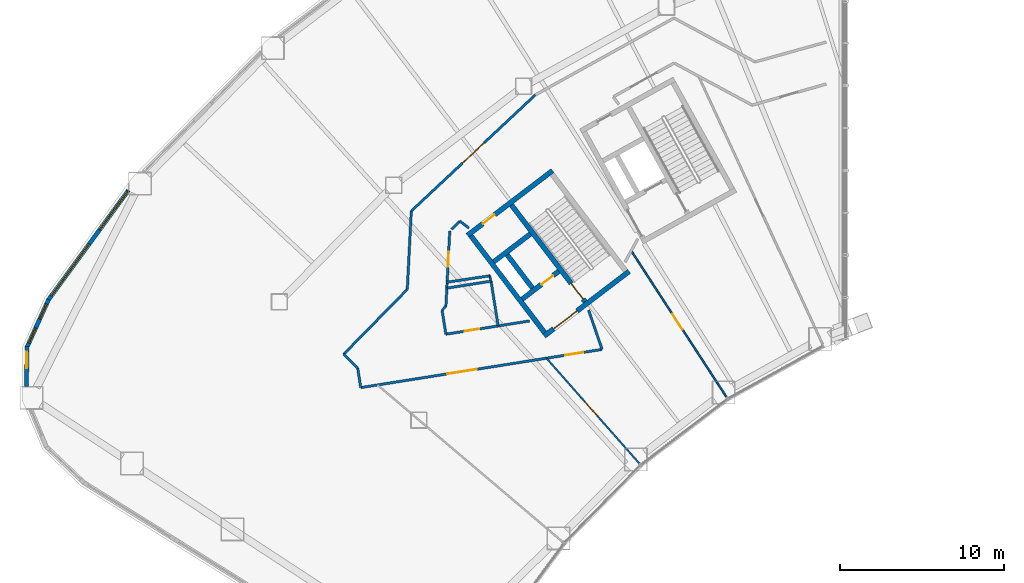
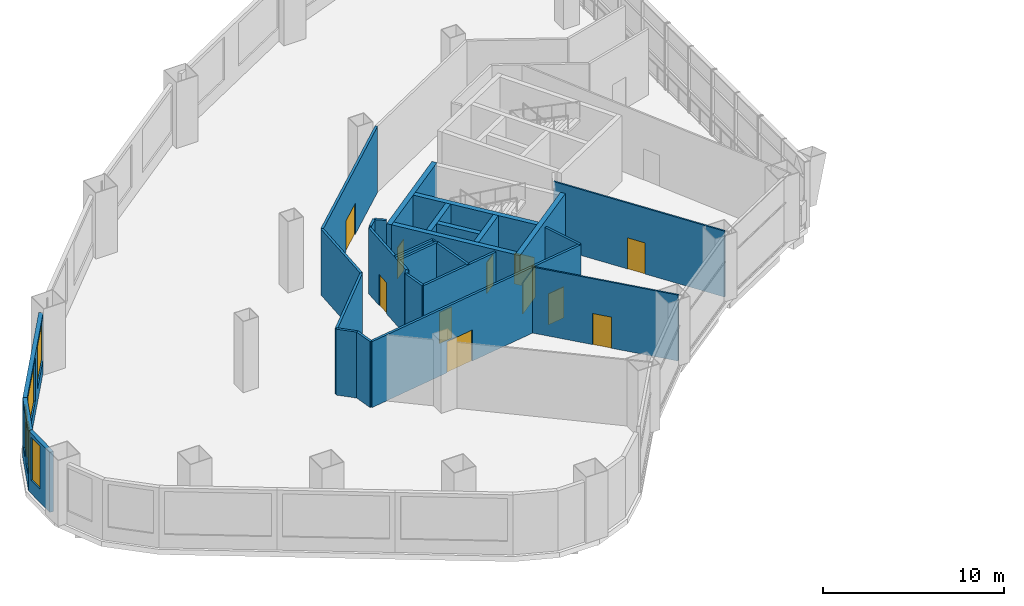
# One storey, part 19 of 26: 29 walls, 11 doors, 5 windows, 16 openings.
"""IFC4 building model written with IfcOpenShell, lengths in metres."""

from ifc_helpers import new_model, si_unit, direction, frame, frame_2d, origin, place, context, subcontext, project, spatial, rectangle, extrude, material, layer, layer_set, type_object, element, fill, save


model = new_model("IFC4")

# Units and contexts
model_context = context("Model", 3, precision=1e-05, world=origin(), true_north=direction((0.0, 1.0)))
body_context = subcontext(model_context, "Body", "Model", "MODEL_VIEW")
ifc_project = project(units=[si_unit("LENGTHUNIT", "METRE"), si_unit("AREAUNIT", "SQUARE_METRE"), si_unit("VOLUMEUNIT", "CUBIC_METRE"), si_unit("PLANEANGLEUNIT", "RADIAN"), si_unit("MASSUNIT", "GRAM", prefix="KILO")], contexts=[model_context])

# Site, building, storey
site_placement = place(None, origin())
site = spatial("IfcSite", under=ifc_project, at=site_placement, CompositionType="ELEMENT")
building_placement = place(site_placement, origin())
building = spatial("IfcBuilding", under=site, at=building_placement, Name="Tuul Gate Civic Tower", CompositionType="ELEMENT")
storey_placement = place(building_placement, frame((0.0, 0.0, 7.5)))
storey = spatial("IfcBuildingStorey", under=building, at=storey_placement, Name="Level 01", CompositionType="ELEMENT", Elevation=7.5)

# Wall, opening, door
ifc_material_1 = material(Name="Concrete C50/60", Category="concrete")
ifc_layer_1 = layer(ifc_material_1, 0.300048828125)
ifc_layer_set_1 = layer_set([ifc_layer_1], Name="Concrete C50/60")
wall_type_1 = type_object("IfcWallType", Name="Core wall C50/60", PredefinedType="SHEAR", material=ifc_layer_set_1)
wall_1_placement = place(storey_placement, frame((-31.19091796875, -13.669677734375, 0.0), z_axis=(0.0, 0.0, 1.0), x_axis=(-0.795606717756, -0.605813461934, 0.0)))
wall_1 = element("IfcWall", 1, at=wall_1_placement, inside=storey, type_object=wall_type_1, Name="Core wall", PredefinedType="SHEAR", context=body_context, shape_type="SweptSolid", body=[
    extrude(rectangle(XDim=6.5, YDim=0.300048828125, at=frame_2d((3.25, 0.0))), origin(), (0.0, 0.0, 1.0), 4.449951171875),
])
opening_1_placement = place(wall_1_placement, frame((3.97509765625, 0.0, 0.0)))
opening_1 = element("IfcOpeningElement", 2, at=opening_1_placement, cuts=wall_1, Name="Opening LB-W1-LOBBY-1", PredefinedType="OPENING", context=body_context, shape_type="SweptSolid", body=[
    extrude(rectangle(XDim=1.800048828125, YDim=2.10009765625, at=frame_2d((0.89990234375, 1.050048828125))), frame((0.0, 0.16015625, 0.0), z_axis=(0.0, -1.0, 0.0), x_axis=(1.0, 0.0, 0.0)), (0.0, 0.0, 1.0), 0.320068359375),
])
ifc_material_2 = material(Name="Steel", Category="steel")
door_type_1 = type_object("IfcDoorType", Name="Lobby door", OperationType="DOUBLE_DOOR_SINGLE_SWING", PredefinedType="DOOR", material=ifc_material_2)
door_1_placement = place(opening_1_placement, origin())
door_1 = element("IfcDoor", 3, at=door_1_placement, inside=storey, type_object=door_type_1, Name="Lobby door W1-LOBBY", OperationType="DOUBLE_DOOR_SINGLE_SWING", OverallHeight=2.10009765625, OverallWidth=1.800048828125, PredefinedType="DOOR", context=body_context, shape_type="SweptSolid", body=[
    extrude(rectangle(XDim=1.800048828125, YDim=2.10009765625, at=frame_2d((0.89990234375, 1.050048828125))), frame((0.0, 0.02490234375, 0.0), z_axis=(0.0, -1.0, 0.0), x_axis=(1.0, 0.0, 0.0)), (0.0, 0.0, 1.0), 0.050048828125),
])
fill(opening_1, door_1)

wall_2_placement = place(storey_placement, frame((-35.470947265625, -13.66064453125, 0.0), z_axis=(0.0, 0.0, 1.0), x_axis=(-0.795615822227, -0.605801504968, 0.0)))
wall_2 = element("IfcWall", 4, at=wall_2_placement, inside=storey, type_object=wall_type_1, Name="Core wall", PredefinedType="SHEAR", context=body_context, shape_type="SweptSolid", body=[
    extrude(rectangle(XDim=2.800048828125, YDim=0.300048828125, at=frame_2d((1.39990234375, 0.0))), origin(), (0.0, 0.0, 1.0), 4.449951171875),
])
opening_2_placement = place(wall_2_placement, frame((0.425048828125, 0.0, 0.0)))
opening_2 = element("IfcOpeningElement", 5, at=opening_2_placement, cuts=wall_2, Name="Opening FB-W1A1", PredefinedType="OPENING", context=body_context, shape_type="SweptSolid", body=[
    extrude(rectangle(XDim=0.89990234375, YDim=2.10009765625, at=frame_2d((0.449951171875, 1.050048828125))), frame((0.0, 0.16015625, 0.0), z_axis=(0.0, -1.0, 0.0), x_axis=(1.0, 0.0, 0.0)), (0.0, 0.0, 1.0), 0.320068359375),
])
ifc_material_3 = material(Name="Steel", Category="steel")
door_type_2 = type_object("IfcDoorType", Name="Store door", OperationType="NOTDEFINED", PredefinedType="DOOR", material=ifc_material_3)
door_2_placement = place(opening_2_placement, frame((0.89990234375, 0.0, 0.0), z_axis=(0.0, 0.0, 1.0), x_axis=(-1.0, 0.0, 0.0)))
door_2 = element("IfcDoor", 6, at=door_2_placement, inside=storey, type_object=door_type_2, Name="Store door W1A1", OperationType="SINGLE_SWING_RIGHT", OverallHeight=2.10009765625, OverallWidth=0.89990234375, PredefinedType="DOOR", context=body_context, shape_type="SweptSolid", body=[
    extrude(rectangle(XDim=0.89990234375, YDim=2.10009765625, at=frame_2d((0.449951171875, 1.050048828125))), frame((0.0, 0.02490234375, 0.0), z_axis=(0.0, -1.0, 0.0), x_axis=(1.0, 0.0, 0.0)), (0.0, 0.0, 1.0), 0.050048828125),
])
fill(opening_2, door_2)

# Wall
wall_3_placement = place(storey_placement, frame((-37.197509765625, -11.39306640625, 0.0), z_axis=(0.0, 0.0, 1.0), x_axis=(-0.795583820278, -0.605843531707, 0.0)))
element("IfcWall", 7, at=wall_3_placement, inside=storey, type_object=wall_type_1, Name="Core wall", PredefinedType="SHEAR", context=body_context, shape_type="SweptSolid", body=[
    extrude(rectangle(XDim=2.7998046875, YDim=0.300048828125, at=frame_2d((1.39990234375, 0.0))), origin(), (0.0, 0.0, 1.0), 4.449951171875),
])

# Wall, opening, door
wall_4_placement = place(storey_placement, frame((-35.855224609375, -7.543212890625, 0.0), z_axis=(0.0, 0.0, 1.0), x_axis=(-0.79563860527, -0.605771582202, 0.0)))
wall_4 = element("IfcWall", 8, at=wall_4_placement, inside=storey, type_object=wall_type_1, Name="Core wall", PredefinedType="SHEAR", context=body_context, shape_type="SweptSolid", body=[
    extrude(rectangle(XDim=6.5, YDim=0.300048828125, at=frame_2d((3.25, 0.0))), origin(), (0.0, 0.0, 1.0), 4.449951171875),
])
opening_3_placement = place(wall_4_placement, frame((4.425048828125, 0.0, 0.0)))
opening_3 = element("IfcOpeningElement", 9, at=opening_3_placement, cuts=wall_4, Name="Opening QA-D20", PredefinedType="OPENING", context=body_context, shape_type="SweptSolid", body=[
    extrude(rectangle(XDim=0.89990234375, YDim=2.10009765625, at=frame_2d((0.449951171875, 1.050048828125))), frame((0.0, 0.16015625, 0.0), z_axis=(0.0, -1.0, 0.0), x_axis=(1.0, 0.0, 0.0)), (0.0, 0.0, 1.0), 0.320068359375),
])
ifc_material_4 = material(Name="Timber door leaf", Category="wood")
door_type_3 = type_object("IfcDoorType", Name="Door D09", OperationType="NOTDEFINED", PredefinedType="DOOR", material=ifc_material_4)
door_3_placement = place(opening_3_placement, origin())
door_3 = element("IfcDoor", 10, at=door_3_placement, inside=storey, type_object=door_type_3, Name="Door QA-D20", OperationType="SINGLE_SWING_LEFT", OverallHeight=2.10009765625, OverallWidth=0.89990234375, PredefinedType="DOOR", context=body_context, shape_type="SweptSolid", body=[
    extrude(rectangle(XDim=0.89990234375, YDim=2.10009765625, at=frame_2d((0.449951171875, 1.050048828125))), frame((0.0, 0.02490234375, 0.0), z_axis=(0.0, -1.0, 0.0), x_axis=(1.0, 0.0, 0.0)), (0.0, 0.0, 1.0), 0.050048828125),
])
fill(opening_3, door_3)

wall_5_placement = place(storey_placement, frame((-33.867431640625, -15.51904296875, 0.0), z_axis=(0.0, 0.0, 1.0), x_axis=(-0.605769822278, 0.795639945213, 0.0)))
wall_5 = element("IfcWall", 11, at=wall_5_placement, inside=storey, type_object=wall_type_1, Name="Core wall", PredefinedType="SHEAR", context=body_context, shape_type="SweptSolid", body=[
    extrude(rectangle(XDim=7.39990234375, YDim=0.300048828125, at=frame_2d((3.699951171875, 0.0))), origin(), (0.0, 0.0, 1.0), 4.449951171875),
])
opening_4_placement = place(wall_5_placement, frame((0.199951171875, 0.0, 0.0)))
opening_4 = element("IfcOpeningElement", 12, at=opening_4_placement, cuts=wall_5, Name="Opening SD-ST-1", PredefinedType="OPENING", context=body_context, shape_type="SweptSolid", body=[
    extrude(rectangle(XDim=1.199951171875, YDim=2.10009765625, at=frame_2d((0.60009765625, 1.050048828125))), frame((0.0, 0.16015625, 0.0), z_axis=(0.0, -1.0, 0.0), x_axis=(1.0, 0.0, 0.0)), (0.0, 0.0, 1.0), 0.320068359375),
])
ifc_material_5 = material(Name="Steel", Category="steel")
door_type_4 = type_object("IfcDoorType", Name="Stair door", OperationType="NOTDEFINED", PredefinedType="DOOR", material=ifc_material_5)
door_4_placement = place(opening_4_placement, origin())
door_4 = element("IfcDoor", 13, at=door_4_placement, inside=storey, type_object=door_type_4, Name="Stair door ST-1", OperationType="SINGLE_SWING_LEFT", OverallHeight=2.10009765625, OverallWidth=1.199951171875, PredefinedType="DOOR", context=body_context, shape_type="SweptSolid", body=[
    extrude(rectangle(XDim=1.199951171875, YDim=2.10009765625, at=frame_2d((0.60009765625, 1.050048828125))), frame((0.0, 0.02490234375, 0.0), z_axis=(0.0, -1.0, 0.0), x_axis=(1.0, 0.0, 0.0)), (0.0, 0.0, 1.0), 0.050048828125),
])
fill(opening_4, door_4)

# Walls
wall_6_placement = place(storey_placement, frame((-37.073486328125, -14.6923828125, 0.0), z_axis=(0.0, 0.0, 1.0), x_axis=(-0.605728760074, 0.79567120673, 0.0)))
element("IfcWall", 14, at=wall_6_placement, inside=storey, type_object=wall_type_1, Name="Core wall", PredefinedType="SHEAR", context=body_context, shape_type="SweptSolid", body=[
    extrude(rectangle(XDim=2.550048828125, YDim=0.300048828125, at=frame_2d((1.27490234375, 0.0))), origin(), (0.0, 0.0, 1.0), 4.449951171875),
])
wall_7_placement = place(storey_placement, frame((-36.333984375, -17.397216796875, 0.0), z_axis=(0.0, 0.0, 1.0), x_axis=(-0.605753921168, 0.795652051458, 0.0)))
element("IfcWall", 15, at=wall_7_placement, inside=storey, type_object=wall_type_1, Name="Core wall", PredefinedType="SHEAR", context=body_context, shape_type="SweptSolid", body=[
    extrude(rectangle(XDim=7.400146484375, YDim=0.300048828125, at=frame_2d((3.7001953125, 0.0))), origin(), (0.0, 0.0, 1.0), 4.449951171875),
])
ifc_material_6 = material(Name="Gypsum board partition")
ifc_layer_2 = layer(ifc_material_6, 0.14990234375)
ifc_layer_set_2 = layer_set([ifc_layer_2], Name="Gypsum board partition")
wall_type_2 = type_object("IfcWallType", Name="Corridor wall P150", PredefinedType="PARTITIONING", material=ifc_layer_set_2)
for number, where, z_axis, x_axis, name in (
    (16, (-48.567138671875, -18.71923828125, 0.0), (0.0, 0.0, 1.0), (0.714133025084, -0.700010015989, 0.0), "p006"),
    (17, (-47.708984375, -19.566162109375, 0.0), (0.0, 0.0, 1.0), (0.156162260612, -0.987731415092, 0.0), "p007"),
):
    element("IfcWall", number, at=place(storey_placement, frame(where, z_axis=z_axis, x_axis=x_axis)), inside=storey, type_object=wall_type_2, Name=name, PredefinedType="PARTITIONING", context=body_context, shape_type="SweptSolid", body=[
        extrude(rectangle(XDim=1.19287109375, YDim=0.14990234375, at=frame_2d((0.596435546875, 0.0))), origin(), (0.0, 0.0, 1.0), 4.449951171875),
    ])

# Wall, openings, doors
wall_8_placement = place(storey_placement, frame((-47.522705078125, -20.744384765625, 0.0), z_axis=(0.0, 0.0, 1.0), x_axis=(0.987705520493, 0.156325956856, 0.0)))
wall_8 = element("IfcWall", 18, at=wall_8_placement, inside=storey, type_object=wall_type_2, Name="p008", PredefinedType="PARTITIONING", context=body_context, shape_type="SweptSolid", body=[
    extrude(rectangle(XDim=14.869384765625, YDim=0.14990234375, at=frame_2d((7.4345703125, 0.0))), origin(), (0.0, 0.0, 1.0), 4.449951171875),
])
opening_5_placement = place(wall_8_placement, frame((12.60546875, 0.0, 0.0)))
opening_5 = element("IfcOpeningElement", 19, at=opening_5_placement, cuts=wall_8, Name="Opening QA-D08", PredefinedType="OPENING", context=body_context, shape_type="SweptSolid", body=[
    extrude(rectangle(XDim=1.10009765625, YDim=2.10009765625, at=frame_2d((0.550048828125, 1.050048828125))), frame((0.0, 0.0849609375, 0.0), z_axis=(0.0, -1.0, 0.0), x_axis=(1.0, 0.0, 0.0)), (0.0, 0.0, 1.0), 0.169921875),
])
opening_6_placement = place(wall_8_placement, frame((5.33740234375, 0.0, 0.0)))
opening_6 = element("IfcOpeningElement", 20, at=opening_6_placement, cuts=wall_8, Name="Opening QA-D09", PredefinedType="OPENING", context=body_context, shape_type="SweptSolid", body=[
    extrude(rectangle(XDim=1.800048828125, YDim=2.10009765625, at=frame_2d((0.89990234375, 1.050048828125))), frame((0.0, 0.0849609375, 0.0), z_axis=(0.0, -1.0, 0.0), x_axis=(1.0, 0.0, 0.0)), (0.0, 0.0, 1.0), 0.169921875),
])
ifc_material_7 = material(Name="Timber door leaf", Category="wood")
door_type_5 = type_object("IfcDoorType", Name="Door D11", OperationType="NOTDEFINED", PredefinedType="DOOR", material=ifc_material_7)
door_5_placement = place(opening_5_placement, frame((1.10009765625, 0.0, 0.0), z_axis=(0.0, 0.0, 1.0), x_axis=(-1.0, 0.0, 0.0)))
door_5 = element("IfcDoor", 21, at=door_5_placement, inside=storey, type_object=door_type_5, Name="Door QA-D08", OperationType="SINGLE_SWING_RIGHT", OverallHeight=2.10009765625, OverallWidth=1.10009765625, PredefinedType="DOOR", context=body_context, shape_type="SweptSolid", body=[
    extrude(rectangle(XDim=1.10009765625, YDim=2.10009765625, at=frame_2d((0.550048828125, 1.050048828125))), frame((0.0, 0.02490234375, 0.0), z_axis=(0.0, -1.0, 0.0), x_axis=(1.0, 0.0, 0.0)), (0.0, 0.0, 1.0), 0.050048828125),
])
fill(opening_5, door_5)
ifc_material_8 = material(Name="Timber door leaf, double", Category="wood")
door_type_6 = type_object("IfcDoorType", Name="Door D18", OperationType="DOUBLE_DOOR_SINGLE_SWING", PredefinedType="DOOR", material=ifc_material_8)
door_6_placement = place(opening_6_placement, frame((1.800048828125, 0.0, 0.0), z_axis=(0.0, 0.0, 1.0), x_axis=(-1.0, 0.0, 0.0)))
door_6 = element("IfcDoor", 22, at=door_6_placement, inside=storey, type_object=door_type_6, Name="Door QA-D09", OperationType="DOUBLE_DOOR_SINGLE_SWING", OverallHeight=2.10009765625, OverallWidth=1.800048828125, PredefinedType="DOOR", context=body_context, shape_type="SweptSolid", body=[
    extrude(rectangle(XDim=1.800048828125, YDim=2.10009765625, at=frame_2d((0.900146484375, 1.050048828125))), frame((0.0, 0.02490234375, 0.0), z_axis=(0.0, -1.0, 0.0), x_axis=(1.0, 0.0, 0.0)), (0.0, 0.0, 1.0), 0.050048828125),
])
fill(opening_6, door_6)

# Wall, opening, door
wall_9_placement = place(storey_placement, frame((-44.447021484375, -9.99853515625, 0.0), z_axis=(0.0, 0.0, 1.0), x_axis=(0.730008870315, 0.683437670356, 0.0)))
wall_9 = element("IfcWall", 23, at=wall_9_placement, inside=storey, type_object=wall_type_2, Name="p012", PredefinedType="PARTITIONING", context=body_context, shape_type="SweptSolid", body=[
    extrude(rectangle(XDim=10.343017578125, YDim=0.14990234375, at=frame_2d((5.17138671875, 0.0))), origin(), (0.0, 0.0, 1.0), 4.449951171875),
])
opening_7_placement = place(wall_9_placement, frame((4.271484375, 0.0, 0.0)))
opening_7 = element("IfcOpeningElement", 24, at=opening_7_placement, cuts=wall_9, Name="Opening QA-D02", PredefinedType="OPENING", context=body_context, shape_type="SweptSolid", body=[
    extrude(rectangle(XDim=1.800048828125, YDim=2.10009765625, at=frame_2d((0.89990234375, 1.050048828125))), frame((0.0, 0.0849609375, 0.0), z_axis=(0.0, -1.0, 0.0), x_axis=(1.0, 0.0, 0.0)), (0.0, 0.0, 1.0), 0.169921875),
])
door_7_placement = place(opening_7_placement, origin())
door_7 = element("IfcDoor", 25, at=door_7_placement, inside=storey, type_object=door_type_6, Name="Door QA-D02", OperationType="DOUBLE_DOOR_SINGLE_SWING", OverallHeight=2.10009765625, OverallWidth=1.800048828125, PredefinedType="DOOR", context=body_context, shape_type="SweptSolid", body=[
    extrude(rectangle(XDim=1.800048828125, YDim=2.10009765625, at=frame_2d((0.89990234375, 1.050048828125))), frame((0.0, 0.02490234375, 0.0), z_axis=(0.0, -1.0, 0.0), x_axis=(1.0, 0.0, 0.0)), (0.0, 0.0, 1.0), 0.050048828125),
])
fill(opening_7, door_7)

# Walls
wall_10_placement = place(storey_placement, frame((-44.6904296875, -14.7568359375, 0.0), z_axis=(0.0, 0.0, 1.0), x_axis=(0.051087639376, 0.998694173961, 0.0)))
element("IfcWall", 26, at=wall_10_placement, inside=storey, type_object=wall_type_2, Name="p013", PredefinedType="PARTITIONING", context=body_context, shape_type="SweptSolid", body=[
    extrude(rectangle(XDim=4.764404296875, YDim=0.14990234375, at=frame_2d((2.38232421875, 0.0))), origin(), (0.0, 0.0, 1.0), 4.449951171875),
])
wall_11_placement = place(storey_placement, frame((-48.567138671875, -18.71923828125, 0.0), z_axis=(0.0, 0.0, 1.0), x_axis=(0.700029029466, 0.714114387129, 0.0)))
element("IfcWall", 27, at=wall_11_placement, inside=storey, type_object=wall_type_2, Name="p014", PredefinedType="PARTITIONING", context=body_context, shape_type="SweptSolid", body=[
    extrude(rectangle(XDim=5.529296875, YDim=0.14990234375, at=frame_2d((2.7646484375, 0.0))), origin(), (0.0, 0.0, 1.0), 4.449951171875),
])
wall_12_placement = place(storey_placement, frame((-33.655517578125, -16.02880859375, 0.0), z_axis=(0.0, 0.0, 1.0), x_axis=(0.324418181028, -0.945913761301, 0.0)))
element("IfcWall", 28, at=wall_12_placement, inside=storey, type_object=wall_type_2, Name="p031", PredefinedType="PARTITIONING", context=body_context, shape_type="SweptSolid", body=[
    extrude(rectangle(XDim=2.527099609375, YDim=0.14990234375, at=frame_2d((1.263671875, 0.0))), origin(), (0.0, 0.0, 1.0), 4.449951171875),
])
wall_13_placement = place(storey_placement, frame((-42.3203125, -14.33447265625, 0.0), z_axis=(0.0, 0.0, 1.0), x_axis=(0.989159045564, 0.146848161649, 0.0)))
element("IfcWall", 29, at=wall_13_placement, inside=storey, type_object=wall_type_2, Name="p039", PredefinedType="PARTITIONING", context=body_context, shape_type="SweptSolid", body=[
    extrude(rectangle(XDim=2.688232421875, YDim=0.14990234375, at=frame_2d((1.34423828125, 0.0))), origin(), (0.0, 0.0, 1.0), 4.449951171875),
])
wall_14_placement = place(storey_placement, frame((-42.572998046875, -16.03271484375, 0.0), z_axis=(0.0, 0.0, 1.0), x_axis=(0.15620821129, -0.987724149105, 0.0)))
element("IfcWall", 30, at=wall_14_placement, inside=storey, type_object=wall_type_2, Name="p044", PredefinedType="PARTITIONING", context=body_context, shape_type="SweptSolid", body=[
    extrude(rectangle(XDim=1.47998046875, YDim=0.14990234375, at=frame_2d((0.739990234375, 0.0))), origin(), (0.0, 0.0, 1.0), 4.449951171875),
])
wall_15_placement = place(storey_placement, frame((-42.572998046875, -16.03271484375, 0.0), z_axis=(0.0, 0.0, 1.0), x_axis=(0.700086115586, 0.714058422515, 0.0)))
element("IfcWall", 31, at=wall_15_placement, inside=storey, type_object=wall_type_2, Name="p045", PredefinedType="PARTITIONING", context=body_context, shape_type="SweptSolid", body=[
    extrude(rectangle(XDim=0.33203125, YDim=0.14990234375, at=frame_2d((0.166015625, 0.0))), origin(), (0.0, 0.0, 1.0), 4.449951171875),
])

# Wall, opening, door
wall_16_placement = place(storey_placement, frame((-42.340576171875, -15.795654296875, 0.0), z_axis=(0.0, 0.0, 1.0), x_axis=(0.051123599466, 0.998692333793, 0.0)))
wall_16 = element("IfcWall", 32, at=wall_16_placement, inside=storey, type_object=wall_type_2, Name="p046", PredefinedType="PARTITIONING", context=body_context, shape_type="SweptSolid", body=[
    extrude(rectangle(XDim=4.58935546875, YDim=0.14990234375, at=frame_2d((2.294677734375, 0.0))), origin(), (0.0, 0.0, 1.0), 4.449951171875),
])
opening_8_placement = place(wall_16_placement, frame((2.410400390625, 0.0, 0.0)))
opening_8 = element("IfcOpeningElement", 33, at=opening_8_placement, cuts=wall_16, Name="Opening QA-D14", PredefinedType="OPENING", context=body_context, shape_type="SweptSolid", body=[
    extrude(rectangle(XDim=0.89990234375, YDim=2.10009765625, at=frame_2d((0.449951171875, 1.050048828125))), frame((0.0, 0.0849609375, 0.0), z_axis=(0.0, -1.0, 0.0), x_axis=(1.0, 0.0, 0.0)), (0.0, 0.0, 1.0), 0.169921875),
])
door_8_placement = place(opening_8_placement, frame((0.89990234375, 0.0, 0.0), z_axis=(0.0, 0.0, 1.0), x_axis=(-1.0, 0.0, 0.0)))
door_8 = element("IfcDoor", 34, at=door_8_placement, inside=storey, type_object=door_type_3, Name="Door QA-D14", OperationType="SINGLE_SWING_RIGHT", OverallHeight=2.10009765625, OverallWidth=0.89990234375, PredefinedType="DOOR", context=body_context, shape_type="SweptSolid", body=[
    extrude(rectangle(XDim=0.89990234375, YDim=2.10009765625, at=frame_2d((0.449951171875, 1.050048828125))), frame((0.0, 0.02490234375, 0.0), z_axis=(0.0, -1.0, 0.0), x_axis=(1.0, 0.0, 0.0)), (0.0, 0.0, 1.0), 0.050048828125),
])
fill(opening_8, door_8)

# Walls
wall_17_placement = place(storey_placement, frame((-42.283935546875, -14.691162109375, 0.0), z_axis=(0.0, 0.0, 1.0), x_axis=(0.987706666179, 0.156318717964, 0.0)))
element("IfcWall", 35, at=wall_17_placement, inside=storey, type_object=wall_type_2, Name="p047", PredefinedType="PARTITIONING", context=body_context, shape_type="SweptSolid", body=[
    extrude(rectangle(XDim=2.74560546875, YDim=0.14990234375, at=frame_2d((1.372802734375, 0.0))), origin(), (0.0, 0.0, 1.0), 4.449951171875),
])
wall_18_placement = place(storey_placement, frame((-39.595947265625, -14.244384765625, 0.0), z_axis=(0.0, 0.0, 1.0), x_axis=(0.156264608159, -0.987715228311, 0.0)))
element("IfcWall", 36, at=wall_18_placement, inside=storey, type_object=wall_type_2, Name="p048", PredefinedType="PARTITIONING", context=body_context, shape_type="SweptSolid", body=[
    extrude(rectangle(XDim=2.781005859375, YDim=0.14990234375, at=frame_2d((1.390625, 0.0))), origin(), (0.0, 0.0, 1.0), 4.449951171875),
])

# Wall, opening, door
wall_19_placement = place(storey_placement, frame((-42.341796875, -17.49462890625, 0.0), z_axis=(0.0, 0.0, 1.0), x_axis=(0.987707598443, 0.1563128273, 0.0)))
wall_19 = element("IfcWall", 37, at=wall_19_placement, inside=storey, type_object=wall_type_2, Name="p049", PredefinedType="PARTITIONING", context=body_context, shape_type="SweptSolid", body=[
    extrude(rectangle(XDim=5.154296875, YDim=0.14990234375, at=frame_2d((2.5771484375, 0.0))), origin(), (0.0, 0.0, 1.0), 4.449951171875),
])
opening_9_placement = place(wall_19_placement, frame((1.159912109375, 0.0, 0.0)))
opening_9 = element("IfcOpeningElement", 38, at=opening_9_placement, cuts=wall_19, Name="Opening QA-D12", PredefinedType="OPENING", context=body_context, shape_type="SweptSolid", body=[
    extrude(rectangle(XDim=0.89990234375, YDim=2.10009765625, at=frame_2d((0.449951171875, 1.050048828125))), frame((0.0, 0.0849609375, 0.0), z_axis=(0.0, -1.0, 0.0), x_axis=(1.0, 0.0, 0.0)), (0.0, 0.0, 1.0), 0.169921875),
])
door_9_placement = place(opening_9_placement, origin())
door_9 = element("IfcDoor", 39, at=door_9_placement, inside=storey, type_object=door_type_3, Name="Door QA-D12", OperationType="SINGLE_SWING_RIGHT", OverallHeight=2.10009765625, OverallWidth=0.89990234375, PredefinedType="DOOR", context=body_context, shape_type="SweptSolid", body=[
    extrude(rectangle(XDim=0.89990234375, YDim=2.10009765625, at=frame_2d((0.449951171875, 1.050048828125))), frame((0.0, 0.02490234375, 0.0), z_axis=(0.0, -1.0, 0.0), x_axis=(1.0, 0.0, 0.0)), (0.0, 0.0, 1.0), 0.050048828125),
])
fill(opening_9, door_9)

# Walls
wall_20_placement = place(storey_placement, frame((-41.482421875, -10.61767578125, 0.0), z_axis=(0.0, 0.0, 1.0), x_axis=(0.793429040692, -0.608662761623, 0.0)))
element("IfcWall", 40, at=wall_20_placement, inside=storey, type_object=wall_type_2, Name="p062", PredefinedType="PARTITIONING", context=body_context, shape_type="SweptSolid", body=[
    extrude(rectangle(XDim=0.68701171875, YDim=0.14990234375, at=frame_2d((0.343505859375, 0.0))), origin(), (0.0, 0.0, 1.0), 4.449951171875),
])
wall_21_placement = place(storey_placement, frame((-42.0078125, -11.11181640625, 0.0), z_axis=(0.0, 0.0, 1.0), x_axis=(0.728438446917, 0.685111253048, 0.0)))
element("IfcWall", 41, at=wall_21_placement, inside=storey, type_object=wall_type_2, Name="p063", PredefinedType="PARTITIONING", context=body_context, shape_type="SweptSolid", body=[
    extrude(rectangle(XDim=0.72119140625, YDim=0.14990234375, at=frame_2d((0.360595703125, 0.0))), origin(), (0.0, 0.0, 1.0), 4.449951171875),
])

# Wall, openings, windows
ifc_material_9 = material(Name="Precast concrete C40/50", Category="concrete")
ifc_layer_3 = layer(ifc_material_9, 0.25)
ifc_layer_set_3 = layer_set([ifc_layer_3], Name="Precast concrete C40/50")
wall_type_3 = type_object("IfcWallType", Name="External wall", PredefinedType="STANDARD", material=ifc_layer_set_3)
wall_22_placement = place(storey_placement, frame((-61.660888671875, -8.7353515625, 0.0), z_axis=(0.0, 0.0, 1.0), x_axis=(-0.589883240256, -0.807488552777, 0.0)))
wall_22 = element("IfcWall", 42, at=wall_22_placement, inside=storey, type_object=wall_type_3, Name="External wall", PredefinedType="STANDARD", context=body_context, shape_type="SweptSolid", body=[
    extrude(rectangle(XDim=8.26318359375, YDim=0.25, at=frame_2d((4.131591796875, 0.0))), origin(), (0.0, 0.0, 1.0), 4.050048828125),
])
opening_10_placement = place(wall_22_placement, frame((0.0859375, 0.0, 0.89990234375)))
opening_10 = element("IfcOpeningElement", 43, at=opening_10_placement, cuts=wall_22, Name="Opening W83", PredefinedType="OPENING", context=body_context, shape_type="SweptSolid", body=[
    extrude(rectangle(XDim=2.89990234375, YDim=2.89990234375, at=frame_2d((1.449951171875, 1.449951171875))), frame((0.0, 0.135009765625, 0.0), z_axis=(0.0, -1.0, 0.0), x_axis=(1.0, 0.0, 0.0)), (0.0, 0.0, 1.0), 0.27001953125),
])
opening_11_placement = place(wall_22_placement, frame((4.0537109375, 0.0, 0.89990234375)))
opening_11 = element("IfcOpeningElement", 44, at=opening_11_placement, cuts=wall_22, Name="Opening W11", PredefinedType="OPENING", context=body_context, shape_type="SweptSolid", body=[
    extrude(rectangle(XDim=3.89990234375, YDim=2.89990234375, at=frame_2d((1.949951171875, 1.449951171875))), frame((0.0, 0.135009765625, 0.0), z_axis=(0.0, -1.0, 0.0), x_axis=(1.0, 0.0, 0.0)), (0.0, 0.0, 1.0), 0.27001953125),
])
ifc_material_10 = material(Name="Glass", Category="glass")
window_type_1 = type_object("IfcWindowType", Name="Window W11 3900 x 2900", PartitioningType="SINGLE_PANEL", PredefinedType="WINDOW", material=ifc_material_10)
window_1_placement = place(opening_11_placement, origin())
window_1 = element("IfcWindow", 45, at=window_1_placement, inside=storey, type_object=window_type_1, Name="Window", OverallHeight=2.89990234375, OverallWidth=3.89990234375, PartitioningType="SINGLE_PANEL", PredefinedType="WINDOW", context=body_context, shape_type="SweptSolid", body=[
    extrude(rectangle(XDim=3.89990234375, YDim=2.89990234375, at=frame_2d((1.949951171875, 1.449951171875))), frame((0.0, 0.030029296875, 0.0), z_axis=(0.0, -1.0, 0.0), x_axis=(1.0, 0.0, 0.0)), (0.0, 0.0, 1.0), 0.06005859375),
])
fill(opening_11, window_1)
ifc_material_11 = material(Name="Glass", Category="glass")
window_type_2 = type_object("IfcWindowType", Name="Window W83 2900 x 2900", PartitioningType="SINGLE_PANEL", PredefinedType="WINDOW", material=ifc_material_11)
window_2_placement = place(opening_10_placement, origin())
window_2 = element("IfcWindow", 46, at=window_2_placement, inside=storey, type_object=window_type_2, Name="Window", OverallHeight=2.89990234375, OverallWidth=2.89990234375, PartitioningType="SINGLE_PANEL", PredefinedType="WINDOW", context=body_context, shape_type="SweptSolid", body=[
    extrude(rectangle(XDim=2.89990234375, YDim=2.89990234375, at=frame_2d((1.449951171875, 1.449951171875))), frame((0.0, 0.030029296875, 0.0), z_axis=(0.0, -1.0, 0.0), x_axis=(1.0, 0.0, 0.0)), (0.0, 0.0, 1.0), 0.06005859375),
])
fill(opening_10, window_2)

wall_23_placement = place(storey_placement, frame((-66.522216796875, -15.385498046875, 0.0), z_axis=(0.0, 0.0, 1.0), x_axis=(-0.412481289983, -0.910966072592, 0.0)))
wall_23 = element("IfcWall", 47, at=wall_23_placement, inside=storey, type_object=wall_type_3, Name="External wall", PredefinedType="STANDARD", context=body_context, shape_type="SweptSolid", body=[
    extrude(rectangle(XDim=3.2021484375, YDim=0.25, at=frame_2d((1.60107421875, 0.0))), origin(), (0.0, 0.0, 1.0), 4.050048828125),
])
opening_12_placement = place(wall_23_placement, frame((0.300537109375, 0.0, 0.89990234375)))
opening_12 = element("IfcOpeningElement", 48, at=opening_12_placement, cuts=wall_23, Name="Opening W10", PredefinedType="OPENING", context=body_context, shape_type="SweptSolid", body=[
    extrude(rectangle(XDim=1.0, YDim=2.89990234375, at=frame_2d((0.5, 1.449951171875))), frame((0.0, 0.135009765625, 0.0), z_axis=(0.0, -1.0, 0.0), x_axis=(1.0, 0.0, 0.0)), (0.0, 0.0, 1.0), 0.27001953125),
])
opening_13_placement = place(wall_23_placement, frame((1.901611328125, 0.0, 0.89990234375)))
opening_13 = element("IfcOpeningElement", 49, at=opening_13_placement, cuts=wall_23, Name="Opening W10", PredefinedType="OPENING", context=body_context, shape_type="SweptSolid", body=[
    extrude(rectangle(XDim=1.0, YDim=2.89990234375, at=frame_2d((0.5, 1.449951171875))), frame((0.0, 0.135009765625, 0.0), z_axis=(0.0, -1.0, 0.0), x_axis=(1.0, 0.0, 0.0)), (0.0, 0.0, 1.0), 0.27001953125),
])
ifc_material_12 = material(Name="Glass", Category="glass")
window_type_3 = type_object("IfcWindowType", Name="Window W10 1000 x 2900", PartitioningType="SINGLE_PANEL", PredefinedType="WINDOW", material=ifc_material_12)
window_3_placement = place(opening_12_placement, origin())
window_3 = element("IfcWindow", 50, at=window_3_placement, inside=storey, type_object=window_type_3, Name="Window", OverallHeight=2.89990234375, OverallWidth=1.0, PartitioningType="SINGLE_PANEL", PredefinedType="WINDOW", context=body_context, shape_type="SweptSolid", body=[
    extrude(rectangle(XDim=1.0, YDim=2.89990234375, at=frame_2d((0.5, 1.449951171875))), frame((0.0, 0.030029296875, 0.0), z_axis=(0.0, -1.0, 0.0), x_axis=(1.0, 0.0, 0.0)), (0.0, 0.0, 1.0), 0.06005859375),
])
fill(opening_12, window_3)
window_4_placement = place(opening_13_placement, origin())
window_4 = element("IfcWindow", 51, at=window_4_placement, inside=storey, type_object=window_type_3, Name="Window", OverallHeight=2.89990234375, OverallWidth=1.0, PartitioningType="SINGLE_PANEL", PredefinedType="WINDOW", context=body_context, shape_type="SweptSolid", body=[
    extrude(rectangle(XDim=1.0, YDim=2.89990234375, at=frame_2d((0.5, 1.449951171875))), frame((0.0, 0.030029296875, 0.0), z_axis=(0.0, -1.0, 0.0), x_axis=(1.0, 0.0, 0.0)), (0.0, 0.0, 1.0), 0.06005859375),
])
fill(opening_13, window_4)

# Wall, opening, window
wall_24_placement = place(storey_placement, frame((-67.83203125, -18.2529296875, 0.0), z_axis=(0.0, 0.0, 1.0), x_axis=(-0.014662663038, -0.999892497378, 0.0)))
wall_24 = element("IfcWall", 52, at=wall_24_placement, inside=storey, type_object=wall_type_3, Name="External wall", PredefinedType="STANDARD", context=body_context, shape_type="SweptSolid", body=[
    extrude(rectangle(XDim=2.414306640625, YDim=0.25, at=frame_2d((1.20703125, 0.0))), origin(), (0.0, 0.0, 1.0), 4.050048828125),
])
opening_14_placement = place(wall_24_placement, frame((0.300537109375, 0.0, 0.89990234375)))
opening_14 = element("IfcOpeningElement", 53, at=opening_14_placement, cuts=wall_24, Name="Opening W10", PredefinedType="OPENING", context=body_context, shape_type="SweptSolid", body=[
    extrude(rectangle(XDim=1.0, YDim=2.89990234375, at=frame_2d((0.5, 1.449951171875))), frame((0.0, 0.135009765625, 0.0), z_axis=(0.0, -1.0, 0.0), x_axis=(1.0, 0.0, 0.0)), (0.0, 0.0, 1.0), 0.27001953125),
])
window_5_placement = place(opening_14_placement, origin())
window_5 = element("IfcWindow", 54, at=window_5_placement, inside=storey, type_object=window_type_3, Name="Window", OverallHeight=2.89990234375, OverallWidth=1.0, PartitioningType="SINGLE_PANEL", PredefinedType="WINDOW", context=body_context, shape_type="SweptSolid", body=[
    extrude(rectangle(XDim=1.0, YDim=2.89990234375, at=frame_2d((0.5, 1.449951171875))), frame((0.0, 0.030029296875, 0.0), z_axis=(0.0, -1.0, 0.0), x_axis=(1.0, 0.0, 0.0)), (0.0, 0.0, 1.0), 0.06005859375),
])
fill(opening_14, window_5)

# Wall, opening, door
ifc_material_13 = material(Name="Gypsum board partition")
ifc_layer_4 = layer(ifc_material_13, 0.10009765625)
ifc_layer_set_4 = layer_set([ifc_layer_4], Name="Gypsum board partition")
wall_type_4 = type_object("IfcWallType", Name="Partition P100", PredefinedType="PARTITIONING", material=ifc_layer_set_4)
wall_25_placement = place(storey_placement, frame((-31.063720703125, -12.42626953125, 0.0), z_axis=(0.0, 0.0, 1.0), x_axis=(0.546733980476, -0.837306368418, 0.0)))
wall_25 = element("IfcWall", 55, at=wall_25_placement, inside=storey, type_object=wall_type_4, Name="p026", PredefinedType="PARTITIONING", context=body_context, shape_type="SweptSolid", body=[
    extrude(rectangle(XDim=10.62109375, YDim=0.10009765625, at=frame_2d((5.310546875, 0.0))), origin(), (0.0, 0.0, 1.0), 4.449951171875),
])
opening_15_placement = place(wall_25_placement, frame((4.594970703125, 0.0, 0.0)))
opening_15 = element("IfcOpeningElement", 56, at=opening_15_placement, cuts=wall_25, Name="Opening QA-D18", PredefinedType="OPENING", context=body_context, shape_type="SweptSolid", body=[
    extrude(rectangle(XDim=1.10009765625, YDim=2.10009765625, at=frame_2d((0.550048828125, 1.050048828125))), frame((0.0, 0.06005859375, 0.0), z_axis=(0.0, -1.0, 0.0), x_axis=(1.0, 0.0, 0.0)), (0.0, 0.0, 1.0), 0.1201171875),
])
door_10_placement = place(opening_15_placement, frame((1.10009765625, 0.0, 0.0), z_axis=(0.0, 0.0, 1.0), x_axis=(-1.0, 0.0, 0.0)))
door_10 = element("IfcDoor", 57, at=door_10_placement, inside=storey, type_object=door_type_5, Name="Door QA-D18", OperationType="SINGLE_SWING_LEFT", OverallHeight=2.10009765625, OverallWidth=1.10009765625, PredefinedType="DOOR", context=body_context, shape_type="SweptSolid", body=[
    extrude(rectangle(XDim=1.10009765625, YDim=2.10009765625, at=frame_2d((0.550048828125, 1.050048828125))), frame((0.0, 0.02490234375, 0.0), z_axis=(0.0, -1.0, 0.0), x_axis=(1.0, 0.0, 0.0)), (0.0, 0.0, 1.0), 0.050048828125),
])
fill(opening_15, door_10)

wall_26_placement = place(storey_placement, frame((-36.2216796875, -18.955810546875, 0.0), z_axis=(0.0, 0.0, 1.0), x_axis=(0.661676442778, -0.74978949384, 0.0)))
wall_26 = element("IfcWall", 58, at=wall_26_placement, inside=storey, type_object=wall_type_4, Name="p030", PredefinedType="PARTITIONING", context=body_context, shape_type="SweptSolid", body=[
    extrude(rectangle(XDim=8.544921875, YDim=0.10009765625, at=frame_2d((4.2724609375, 0.0))), origin(), (0.0, 0.0, 1.0), 4.449951171875),
])
opening_16_placement = place(wall_26_placement, frame((3.55712890625, 0.0, 0.0)))
opening_16 = element("IfcOpeningElement", 59, at=opening_16_placement, cuts=wall_26, Name="Opening QA-D19", PredefinedType="OPENING", context=body_context, shape_type="SweptSolid", body=[
    extrude(rectangle(XDim=1.10009765625, YDim=2.10009765625, at=frame_2d((0.550048828125, 1.050048828125))), frame((0.0, 0.06005859375, 0.0), z_axis=(0.0, -1.0, 0.0), x_axis=(1.0, 0.0, 0.0)), (0.0, 0.0, 1.0), 0.1201171875),
])
door_11_placement = place(opening_16_placement, origin())
door_11 = element("IfcDoor", 60, at=door_11_placement, inside=storey, type_object=door_type_5, Name="Door QA-D19", OperationType="SINGLE_SWING_RIGHT", OverallHeight=2.10009765625, OverallWidth=1.10009765625, PredefinedType="DOOR", context=body_context, shape_type="SweptSolid", body=[
    extrude(rectangle(XDim=1.10009765625, YDim=2.10009765625, at=frame_2d((0.550048828125, 1.050048828125))), frame((0.0, 0.02490234375, 0.0), z_axis=(0.0, -1.0, 0.0), x_axis=(1.0, 0.0, 0.0)), (0.0, 0.0, 1.0), 0.050048828125),
])
fill(opening_16, door_11)

# Wall
wall_27_placement = place(storey_placement, frame((-39.6611328125, -13.939697265625, 0.0), z_axis=(0.0, 0.0, 1.0), x_axis=(0.15669402616, -0.98764719519, 0.0)))
element("IfcWall", 61, at=wall_27_placement, inside=storey, type_object=wall_type_4, Name="p067", PredefinedType="PARTITIONING", context=body_context, shape_type="SweptSolid", body=[
    extrude(rectangle(XDim=0.257080078125, YDim=0.10009765625, at=frame_2d((0.12841796875, 0.0))), origin(), (0.0, 0.0, 1.0), 4.449951171875),
])

save(model, "model.ifc")
